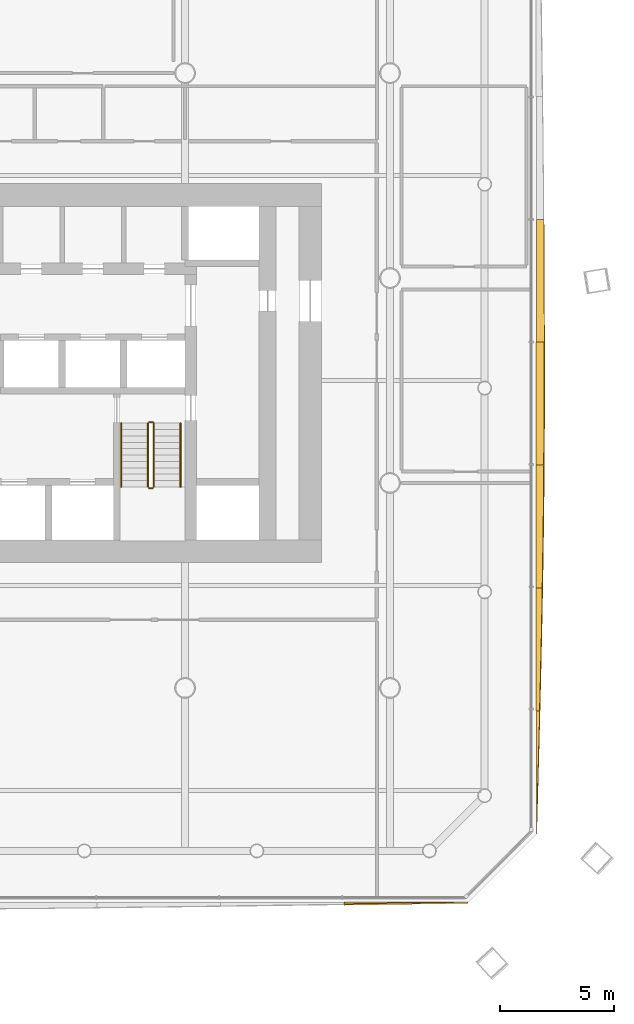
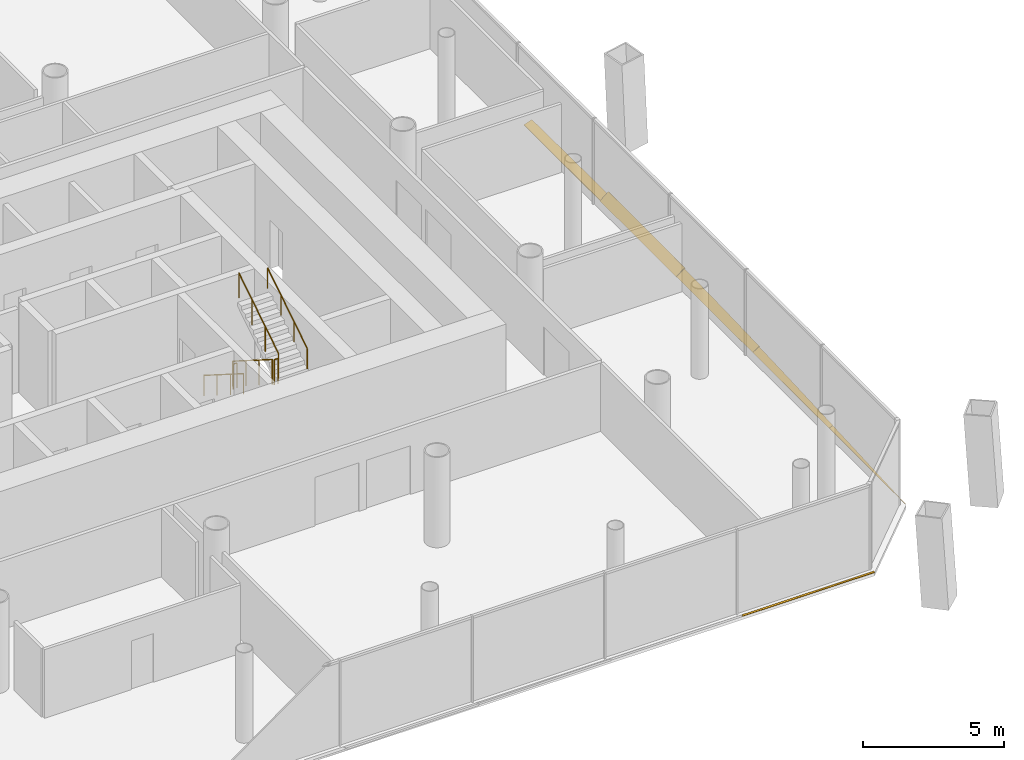
# One storey, part 20 of 22: 6 railings, 6 shading devices.
"""IFC4 building model written with IfcOpenShell, lengths in metres."""

import ifcopenshell
import ifcopenshell.guid

model = None  # the IFC model being written
_history = None  # IfcOwnerHistory: only IFC2X3 demands one
_inside = {}  # id of a spatial element -> (the spatial element, [elements in it])
_under = {}  # id of a project, library or spatial element -> (it, [spatial elements below it])
_declared = {}  # id of a project -> (the project, [libraries it declares])
_typed = {}  # id of a type object -> (the type object, [elements of that type])
_made_of = {}  # id of a material, layer set ... -> (it, [elements and type objects made of it])


def new_model(schema):
    """Start an empty IFC model of exactly this schema.

    Asked for "IFC4X3", IfcOpenShell would pick the latest addendum, in which some entities
    have other attributes; the version numbers below select the first issue.
    IFC2X3 requires an IfcOwnerHistory on every rooted entity: one is made here for all.
    """
    global model, _history
    if schema == "IFC4X3":
        model = ifcopenshell.file(schema_version=(4, 3, 0, 0))
    else:
        model = ifcopenshell.file(schema=schema)
    _inside.clear()
    _under.clear()
    _declared.clear()
    _typed.clear()
    _made_of.clear()
    _history = None
    if model.schema == "IFC2X3":
        org = make("IfcOrganization", Name="unknown")
        user = make(
            "IfcPersonAndOrganization",
            ThePerson=make("IfcPerson", FamilyName="unknown"),
            TheOrganization=org,
        )
        app = make(
            "IfcApplication",
            ApplicationDeveloper=org,
            Version="unknown",
            ApplicationFullName="unknown",
            ApplicationIdentifier="unknown",
        )
        _history = make(
            "IfcOwnerHistory",
            OwningUser=user,
            OwningApplication=app,
            ChangeAction="ADDED",
            CreationDate=0,
        )
    return model


def make(cls, **values):
    """One entity of the class cls with the attributes given. An attribute that is None is left unset."""
    return model.create_entity(
        cls, **{name: value for name, value in values.items() if value is not None}
    )


def rooted(cls, **values):
    """An entity with a GlobalId (a new one), such as an element, a storey or a relation."""
    return make(cls, GlobalId=ifcopenshell.guid.new(), OwnerHistory=_history, **values)


def si_unit(unit_type, name, prefix=None):
    """IfcSIUnit, for example si_unit("LENGTHUNIT", "METRE", prefix="MILLI")."""
    return make("IfcSIUnit", UnitType=unit_type, Prefix=prefix, Name=name)


def assignment(units):
    """IfcUnitAssignment: the units of a project."""
    return None if units is None else make("IfcUnitAssignment", Units=units)


def point(xyz):
    """IfcCartesianPoint."""
    return None if xyz is None else make("IfcCartesianPoint", Coordinates=xyz)


def direction(xyz):
    """IfcDirection."""
    return None if xyz is None else make("IfcDirection", DirectionRatios=xyz)


def frame(location, z_axis=None, x_axis=None):
    """IfcAxis2Placement3D, a coordinate frame: its origin and axes. An axis left out is left unset."""
    return make(
        "IfcAxis2Placement3D",
        Location=point(location),
        Axis=direction(z_axis),
        RefDirection=direction(x_axis),
    )


def frame_2d(location, x_axis=None):
    """IfcAxis2Placement2D, a coordinate frame in the plane: its origin and x axis."""
    return make(
        "IfcAxis2Placement2D", Location=point(location), RefDirection=direction(x_axis)
    )


def origin():
    """The frame at (0, 0, 0) with its axes left unset."""
    return frame((0.0, 0.0, 0.0))


def origin_2d():
    """The frame at (0, 0) in the plane with its x axis left unset."""
    return frame_2d((0.0, 0.0))


def place(relative_to, where):
    """IfcLocalPlacement: puts the frame where relative to a parent placement (None: the world)."""
    return make(
        "IfcLocalPlacement", PlacementRelTo=relative_to, RelativePlacement=where
    )


def context(
    kind, dimensions, precision=None, world=None, true_north=None, identifier=None
):
    """IfcGeometricRepresentationContext, for example the 3D "Model" context."""
    return make(
        "IfcGeometricRepresentationContext",
        ContextIdentifier=identifier,
        ContextType=kind,
        CoordinateSpaceDimension=dimensions,
        Precision=precision,
        WorldCoordinateSystem=world,
        TrueNorth=true_north,
    )


def subcontext(parent, identifier, kind, view, scale=None):
    """IfcGeometricRepresentationSubContext, for example "Body" below "Model"."""
    return make(
        "IfcGeometricRepresentationSubContext",
        ContextIdentifier=identifier,
        ContextType=kind,
        ParentContext=parent,
        TargetScale=scale,
        TargetView=view,
    )


def project(units=None, contexts=None):
    """IfcProject with its units and contexts."""
    return rooted(
        "IfcProject",
        Name="project",
        RepresentationContexts=contexts,
        UnitsInContext=assignment(units),
    )


def spatial(cls, under=None, at=None, **own):
    """A site, building, storey or space (cls), placed at a placement, below another one or the project."""
    s = rooted(cls, ObjectPlacement=at, **own)
    if under is not None:
        _under.setdefault(under.id(), (under, []))[1].append(s)
    return s


def polyline(points):
    """IfcPolyline through the points."""
    return make("IfcPolyline", Points=[point(p) for p in points])


def profile(cls, at=None, kind="AREA", **sizes):
    """A parametric profile (cls). Its sizes go by their IFC names, for example OverallWidth=200.0."""
    return make(cls, ProfileType=kind, Position=at, **sizes)


def circle(**sizes):
    """IfcCircleProfileDef."""
    return profile("IfcCircleProfileDef", **sizes)


def outline(outer, holes=None, kind="AREA"):
    """IfcArbitraryClosedProfileDef: a profile drawn as a closed curve; with holes, ...WithVoids."""
    if holes is None:
        return make("IfcArbitraryClosedProfileDef", ProfileType=kind, OuterCurve=outer)
    return make(
        "IfcArbitraryProfileDefWithVoids",
        ProfileType=kind,
        OuterCurve=outer,
        InnerCurves=holes,
    )


def extrude(swept, where, along, depth):
    """IfcExtrudedAreaSolid: the profile swept, set in the frame where, extruded along a direction by depth."""
    return make(
        "IfcExtrudedAreaSolid",
        SweptArea=swept,
        Position=where,
        ExtrudedDirection=direction(along),
        Depth=depth,
    )


def shape(context_of_items, identifier, shape_type, items):
    """IfcShapeRepresentation: the items that make up one representation, for example the "Body"."""
    return make(
        "IfcShapeRepresentation",
        ContextOfItems=context_of_items,
        RepresentationIdentifier=identifier,
        RepresentationType=shape_type,
        Items=items,
    )


def material(Name=None, Category=None):
    """IfcMaterial."""
    return make("IfcMaterial", Name=Name, Category=Category)


def layer(
    of_material, thickness, ventilated=None, Name=None, Category=None, Priority=None
):
    """IfcMaterialLayer: one layer of a wall or slab, of a material (None: an air gap)."""
    return make(
        "IfcMaterialLayer",
        Material=of_material,
        LayerThickness=thickness,
        IsVentilated=ventilated,
        Name=Name,
        Category=Category,
        Priority=Priority,
    )


def layer_set(layers, Name=None):
    """IfcMaterialLayerSet."""
    return make("IfcMaterialLayerSet", MaterialLayers=layers, LayerSetName=Name)


def made_of(thing, what):
    """Note that an element or type object is made of a material, layer set ...; save() writes the relation."""
    if what is not None:
        _made_of.setdefault(what.id(), (what, []))[1].append(thing)
    return thing


def type_object(cls, material=None, **own):
    """A type object (cls), such as IfcWallType, which elements share."""
    return made_of(rooted(cls, **own), material)


def element(
    cls,
    number,
    at=None,
    inside=None,
    cuts=None,
    type_object=None,
    material=None,
    context=None,
    identifier="Body",
    shape_type=None,
    held_by="IfcProductDefinitionShape",
    body=None,
    shapes=None,
    **own,
):
    """One element of the class cls, such as IfcWall. Its Tag is "e" and its number.

    at: its placement. inside: the storey or other place that contains it. cuts: it is an
    opening in that element (IfcRelVoidsElement). A single representation is given by context,
    identifier, shape_type and body (its items); several are given by shapes. held_by: the class
    of the entity that holds the representations. save() writes the other relations.
    """
    e = rooted(cls, Tag="e%d" % number, ObjectPlacement=at, **own)
    if body is not None:
        shapes = [shape(context, identifier, shape_type, body)]
    if shapes is not None:
        e.Representation = make(held_by, Representations=shapes)
    if inside is not None:
        _inside.setdefault(inside.id(), (inside, []))[1].append(e)
    if cuts is not None:
        rooted(
            "IfcRelVoidsElement", RelatingBuildingElement=cuts, RelatedOpeningElement=e
        )
    if type_object is not None:
        _typed.setdefault(type_object.id(), (type_object, []))[1].append(e)
    return made_of(e, material)


def aggregate(whole, parts):
    """IfcRelAggregates: a whole, such as a stair, and the parts it consists of."""
    return rooted("IfcRelAggregates", RelatingObject=whole, RelatedObjects=parts)


def save(model, path):
    """Write the relations noted so far, then the file.

    IfcRelAggregates (storeys below a building ...), IfcRelContainedInSpatialStructure (elements
    in a storey), IfcRelDefinesByType, IfcRelAssociatesMaterial and IfcRelDeclares: one each for
    every whole, place, type object, material and project.
    """
    for whole, parts in _under.values():
        aggregate(whole, parts)
    for where, things in _inside.values():
        rooted(
            "IfcRelContainedInSpatialStructure",
            RelatedElements=things,
            RelatingStructure=where,
        )
    for kind, things in _typed.values():
        rooted("IfcRelDefinesByType", RelatedObjects=things, RelatingType=kind)
    for what, things in _made_of.values():
        rooted("IfcRelAssociatesMaterial", RelatedObjects=things, RelatingMaterial=what)
    for by, libraries in _declared.values():
        rooted("IfcRelDeclares", RelatingContext=by, RelatedDefinitions=libraries)
    model.write(path)


model = new_model("IFC4")

# Units and contexts
model_context = context("Model", 3, precision=1e-05, world=origin(), true_north=direction((0.0, 1.0)))
body_context = subcontext(model_context, "Body", "Model", "MODEL_VIEW")
ifc_project = project(units=[si_unit("LENGTHUNIT", "METRE"), si_unit("AREAUNIT", "SQUARE_METRE"), si_unit("VOLUMEUNIT", "CUBIC_METRE"), si_unit("PLANEANGLEUNIT", "RADIAN"), si_unit("MASSUNIT", "GRAM", prefix="KILO")], contexts=[model_context])

# Site, building, storey
site_placement = place(None, origin())
site = spatial("IfcSite", under=ifc_project, at=site_placement, CompositionType="ELEMENT")
building_placement = place(site_placement, origin())
building = spatial("IfcBuilding", under=site, at=building_placement, Name="Tskaro Facet Tower", CompositionType="ELEMENT")
storey_placement = place(building_placement, frame((0.0, 0.0, 26.39990234375)))
storey = spatial("IfcBuildingStorey", under=building, at=storey_placement, Name="L05", CompositionType="ELEMENT", Elevation=26.39990234375)

# Shading devices
ifc_material_1 = material(Name="Bronze anodised aluminium 6063-T6", Category="aluminium")
ifc_layer = layer(ifc_material_1, 0.06005859375, Name="Bronze anodised aluminium 6063-T6")
ifc_layer_set = layer_set([ifc_layer], Name="Bronze anodised aluminium 6063-T6")
shading_device_type = type_object("IfcShadingDeviceType", Name="Bronze sun blade (FN1)", PredefinedType="USERDEFINED", material=ifc_layer_set)
shading_device_1_placement = place(storey_placement, frame((15.98486328125, -27.413330078125, 0.046142578125), z_axis=(1.6719865e-05, 0.641119995005, 0.767440650295), x_axis=(0.99999999986, -1.071944e-05, -1.2831504e-05)))
element("IfcShadingDevice", 1, at=shading_device_1_placement, inside=storey, type_object=shading_device_type, Name="Fin blade south 9", ObjectType="FIN", PredefinedType="USERDEFINED", context=body_context, shape_type="SweptSolid", body=[
    extrude(outline(polyline([(0.0, 0.0), (5.424072264866839, 9.188735834545308e-21), (4.746093749608535, -0.01334758475224792), (4.068115234350233, -0.02669516950449584), (3.390136719607569, -0.03969886738040175), (2.7119140637243, -0.05304645213264966), (2.0339355458489456, -0.06620667344485792), (1.355957031106283, -0.07921037132076383), (0.6779785132309284, -0.0923705926329721), (-1.5117345129433619e-09, -0.10537429050887802), (0.0, 0.0)])), origin(), (0.0, 0.0, -1.0), 0.06005859375),
])
shading_device_2_placement = place(storey_placement, frame((24.4267578125, -24.408935546875, 0.054443359375), z_axis=(-0.423541366489, 2.7235675e-05, 0.905876763214), x_axis=(1.1535435e-05, 0.999999999629, -2.4672165e-05)))
element("IfcShadingDevice", 2, at=shading_device_2_placement, inside=storey, type_object=shading_device_type, Name="Fin blade east 1", ObjectType="FIN", PredefinedType="USERDEFINED", context=body_context, shape_type="SweptSolid", body=[
    extrude(outline(polyline([(0.0, 0.0), (5.39770507612304, 0.0), (5.3977050800921225, -0.16055836206135923), (4.722900391662119, -0.14144358781542155), (4.048095700415847, -0.1221076522502578), (3.3735351590251725, -0.1023437480579354), (2.6987304653535733, -0.08224092488112719), (2.0241699215375712, -0.061710133077160334), (1.349365231073182, -0.041282744927159776), (0.6745605438160022, -0.02053079180396686), (0.0, 0.0)])), origin(), (0.0, 0.0, -1.0), 0.06005859375),
])
shading_device_3_placement = place(storey_placement, frame((24.422119140625, -19.01123046875, 0.052001953125), z_axis=(-0.500445720472, 7.027761e-06, 0.865767913942), x_axis=(3.517013e-06, 0.999999999975, -6.08441e-06)))
element("IfcShadingDevice", 3, at=shading_device_3_placement, inside=storey, type_object=shading_device_type, Name="Fin blade east 2", ObjectType="FIN", PredefinedType="USERDEFINED", context=body_context, shape_type="SweptSolid", body=[
    extrude(outline(polyline([(0.0, 0.0), (5.397460937366711, 0.0), (5.397460937387302, -0.30539689254047664), (4.722900390442933, -0.29074032439090675), (4.048095702641728, -0.2755388388711192), (3.373535157345936, -0.2593367085995388), (2.698730467990566, -0.2422891018494781), (2.023925780747455, -0.2247857677178423), (1.349365234524303, -0.20640396796539118), (0.6745605474443178, -0.18747725084272238), (-7.279650903424798e-10, -0.16812779548081344), (0.0, 0.0)])), origin(), (0.0, 0.0, -1.0), 0.06005859375),
])
shading_device_4_placement = place(storey_placement, frame((24.41748046875, -13.61376953125, 0.04931640625), z_axis=(-0.573379649369, -6.389773e-06, 0.819289800772), x_axis=(-3.663766e-06, 0.99999999998, 5.235076e-06)))
element("IfcShadingDevice", 4, at=shading_device_4_placement, inside=storey, type_object=shading_device_type, Name="Fin blade east 3", ObjectType="FIN", PredefinedType="USERDEFINED", context=body_context, shape_type="SweptSolid", body=[
    extrude(outline(polyline([(0.0, 0.0), (5.397705078014808, 2.286017020366861e-21), (5.397705077767282, -0.40881593507990693), (4.723144531029442, -0.4019756665720391), (4.0483398434102185, -0.39391535457020244), (3.3735351568127023, -0.38477498434035906), (2.698974609689319, -0.3746145925405676), (2.024169921684553, -0.36323415724680735), (1.3496093753264886, -0.3507736637250404), (0.6748046871925677, -0.3372931486333253), (-8.141203241167686e-10, -0.3229325972376242), (0.0, 0.0)])), origin(), (0.0, 0.0, -1.0), 0.06005859375),
])
shading_device_5_placement = place(storey_placement, frame((24.413330078125, -8.216064453125, 0.046142578125), z_axis=(-0.64253935268, -4.207826e-06, 0.766252686938), x_axis=(-2.703694e-06, 0.999999999991, 3.224258e-06)))
element("IfcShadingDevice", 5, at=shading_device_5_placement, inside=storey, type_object=shading_device_type, Name="Fin blade east 4", ObjectType="FIN", PredefinedType="USERDEFINED", context=body_context, shape_type="SweptSolid", body=[
    extrude(outline(polyline([(0.0, 0.0), (5.397705078077215, 2.286017020366861e-21), (5.397705077902501, -0.45144453329870626), (4.723144530881755, -0.4530073801848066), (4.048339843641911, -0.4536952669229075), (3.4328613281494507, -0.45403921029195793), (3.3735351562749756, -0.45403921029195793), (2.6989746091517657, -0.4533513235538571), (2.0241699223424483, -0.4512574598888077), (1.349365235024767, -0.4477878227475565), (0.6748046871636393, -0.4431294855400021), (-3.835962036391371e-10, -0.43706517140549916), (0.0, 0.0)])), origin(), (0.0, 0.0, -1.0), 0.06005859375),
])
shading_device_6_placement = place(storey_placement, frame((24.431396484375, -2.818359375, 0.056396484375), z_axis=(-0.342202671785, 2.581595e-06, 0.939626165779), x_axis=(8.83429e-07, 0.999999999997, -2.425735e-06)))
element("IfcShadingDevice", 6, at=shading_device_6_placement, inside=storey, type_object=shading_device_type, Name="Fin blade east 5", ObjectType="FIN", PredefinedType="USERDEFINED", context=body_context, shape_type="SweptSolid", body=[
    extrude(outline(polyline([(0.0, 0.0), (5.397705078107013, 0.0), (5.397705078214663, -0.3411381915980742), (4.722900390669306, -0.3460816280854676), (4.048339843533268, -0.35079566365348064), (3.3735351565253087, -0.3548838062343997), (2.698974609710987, -0.35851314697655806), (2.024169921840304, -0.3616836858799556), (1.34936523413048, -0.3643118773704258), (0.6748046872065138, -0.36639772144796867), (3.4087886551517675e-11, -0.3681706190319645), (0.0, 0.0)])), origin(), (0.0, 0.0, -1.0), 0.06005859375),
])

# Railings
ifc_material_2 = material(Name="Stainless steel", Category="steel")
railing_type_1 = type_object("IfcRailingType", Name="RL-GUARD-1100", PredefinedType="GUARDRAIL", material=ifc_material_2)
railing_1_placement = place(storey_placement, frame((7.375, -6.375, 0.177490234375)))
element("IfcRailing", 7, at=railing_1_placement, inside=storey, type_object=railing_type_1, Name="L05 ST-2 stair guard 1", PredefinedType="GUARDRAIL", context=body_context, shape_type="SweptSolid", body=[
    extrude(circle(Radius=0.02392578125, at=origin_2d()), frame((0.0, 0.0, 1.076171875), z_axis=(0.0, -0.844908973607, 0.534910110503), x_axis=(1.0, 0.0, 0.0)), (0.0, 0.0, 1.0), 3.31396484375),
    extrude(circle(Radius=0.02099609375, at=origin_2d()), origin(), (0.0, 0.0, 1.0), 1.052001953125),
    extrude(circle(Radius=0.02099609375, at=origin_2d()), frame((0.0, -0.933349609375, 0.5908203125)), (0.0, 0.0, 1.0), 1.052001953125),
    extrude(circle(Radius=0.02099609375, at=origin_2d()), frame((0.0, -1.86669921875, 1.181884765625)), (0.0, 0.0, 1.0), 1.052001953125),
    extrude(circle(Radius=0.02099609375, at=origin_2d()), frame((0.0, -2.800048828125, 1.772705078125)), (0.0, 0.0, 1.0), 1.052001953125),
])
railing_2_placement = place(storey_placement, frame((7.425048828125, -9.22509765625, 1.9501953125)))
element("IfcRailing", 8, at=railing_2_placement, inside=storey, type_object=railing_type_1, Name="L05 ST-2 stair guard 2", PredefinedType="GUARDRAIL", context=body_context, shape_type="SweptSolid", body=[
    extrude(circle(Radius=0.02392578125, at=origin_2d()), frame((0.0, 0.0, 1.076171875), z_axis=(1.0, 0.0, 0.0), x_axis=(0.0, 1.0, 0.0)), (0.0, 0.0, 1.0), 0.14990234375),
    extrude(circle(Radius=0.02099609375, at=origin_2d()), origin(), (0.0, 0.0, 1.0), 1.052001953125),
    extrude(circle(Radius=0.02099609375, at=origin_2d()), frame((0.14990234375, 0.0, 0.0)), (0.0, 0.0, 1.0), 1.052001953125),
])
railing_3_placement = place(storey_placement, frame((7.625, -9.175048828125, 2.12744140625)))
element("IfcRailing", 9, at=railing_3_placement, inside=storey, type_object=railing_type_1, Name="L05 ST-2 stair guard 3", PredefinedType="GUARDRAIL", context=body_context, shape_type="SweptSolid", body=[
    extrude(circle(Radius=0.02392578125, at=origin_2d()), frame((0.0, 0.0, 1.076171875), z_axis=(0.0, 0.844908973607, 0.534910110503), x_axis=(-1.0, 0.0, 0.0)), (0.0, 0.0, 1.0), 3.31396484375),
    extrude(circle(Radius=0.02099609375, at=origin_2d()), origin(), (0.0, 0.0, 1.0), 1.052001953125),
    extrude(circle(Radius=0.02099609375, at=origin_2d()), frame((0.0, 0.933349609375, 0.5908203125)), (0.0, 0.0, 1.0), 1.052001953125),
    extrude(circle(Radius=0.02099609375, at=origin_2d()), frame((0.0, 1.86669921875, 1.181884765625)), (0.0, 0.0, 1.0), 1.052001953125),
    extrude(circle(Radius=0.02099609375, at=origin_2d()), frame((0.0, 2.800048828125, 1.772705078125)), (0.0, 0.0, 1.0), 1.052001953125),
])
railing_4_placement = place(storey_placement, frame((7.425048828125, -6.324951171875, 0.0)))
element("IfcRailing", 10, at=railing_4_placement, inside=storey, type_object=railing_type_1, Name="L05 ST-2 stair guard 4", PredefinedType="GUARDRAIL", context=body_context, shape_type="SweptSolid", body=[
    extrude(circle(Radius=0.02392578125, at=origin_2d()), frame((0.0, 0.0, 1.076171875), z_axis=(1.0, 0.0, 0.0), x_axis=(0.0, 1.0, 0.0)), (0.0, 0.0, 1.0), 0.14990234375),
    extrude(circle(Radius=0.02099609375, at=origin_2d()), origin(), (0.0, 0.0, 1.0), 1.052001953125),
    extrude(circle(Radius=0.02099609375, at=origin_2d()), frame((0.14990234375, 0.0, 0.0)), (0.0, 0.0, 1.0), 1.052001953125),
])
railing_type_2 = type_object("IfcRailingType", Name="RL-HANDRAIL-900", PredefinedType="HANDRAIL", material=ifc_material_2)
railing_5_placement = place(storey_placement, frame((6.199951171875, -6.375, 0.177490234375)))
element("IfcRailing", 11, at=railing_5_placement, inside=storey, type_object=railing_type_2, Name="L05 ST-2 stair handrail 1", PredefinedType="HANDRAIL", context=body_context, shape_type="SweptSolid", body=[
    extrude(circle(Radius=0.02392578125, at=origin_2d()), frame((0.0, 0.0, 0.8759765625), z_axis=(0.0, -0.844908973607, 0.534910110503), x_axis=(1.0, 0.0, 0.0)), (0.0, 0.0, 1.0), 3.31396484375),
    extrude(circle(Radius=0.02099609375, at=origin_2d()), origin(), (0.0, 0.0, 1.0), 0.851806640625),
    extrude(circle(Radius=0.02099609375, at=origin_2d()), frame((0.0, -0.933349609375, 0.5908203125)), (0.0, 0.0, 1.0), 0.851806640625),
    extrude(circle(Radius=0.02099609375, at=origin_2d()), frame((0.0, -1.86669921875, 1.181884765625)), (0.0, 0.0, 1.0), 0.851806640625),
    extrude(circle(Radius=0.02099609375, at=origin_2d()), frame((0.0, -2.800048828125, 1.772705078125)), (0.0, 0.0, 1.0), 0.851806640625),
])
railing_6_placement = place(storey_placement, frame((8.800048828125, -9.175048828125, 2.12744140625)))
element("IfcRailing", 12, at=railing_6_placement, inside=storey, type_object=railing_type_2, Name="L05 ST-2 stair handrail 2", PredefinedType="HANDRAIL", context=body_context, shape_type="SweptSolid", body=[
    extrude(circle(Radius=0.02392578125, at=origin_2d()), frame((0.0, 0.0, 0.8759765625), z_axis=(0.0, 0.844908973607, 0.534910110503), x_axis=(-1.0, 0.0, 0.0)), (0.0, 0.0, 1.0), 3.31396484375),
    extrude(circle(Radius=0.02099609375, at=origin_2d()), origin(), (0.0, 0.0, 1.0), 0.851806640625),
    extrude(circle(Radius=0.02099609375, at=origin_2d()), frame((0.0, 0.933349609375, 0.5908203125)), (0.0, 0.0, 1.0), 0.851806640625),
    extrude(circle(Radius=0.02099609375, at=origin_2d()), frame((0.0, 1.86669921875, 1.181884765625)), (0.0, 0.0, 1.0), 0.851806640625),
    extrude(circle(Radius=0.02099609375, at=origin_2d()), frame((0.0, 2.800048828125, 1.772705078125)), (0.0, 0.0, 1.0), 0.851806640625),
])

save(model, "model.ifc")
